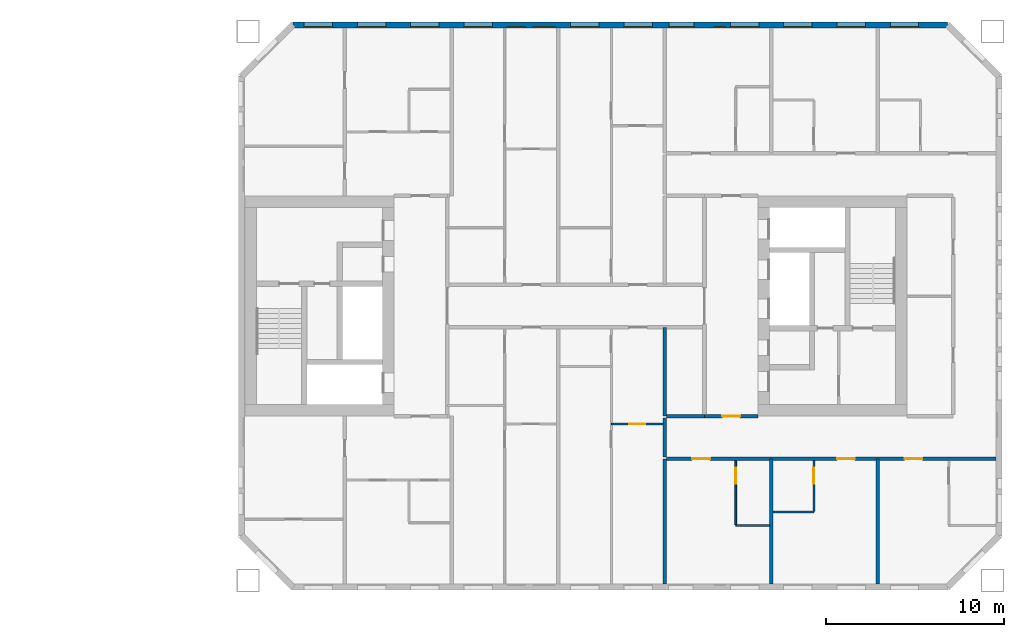
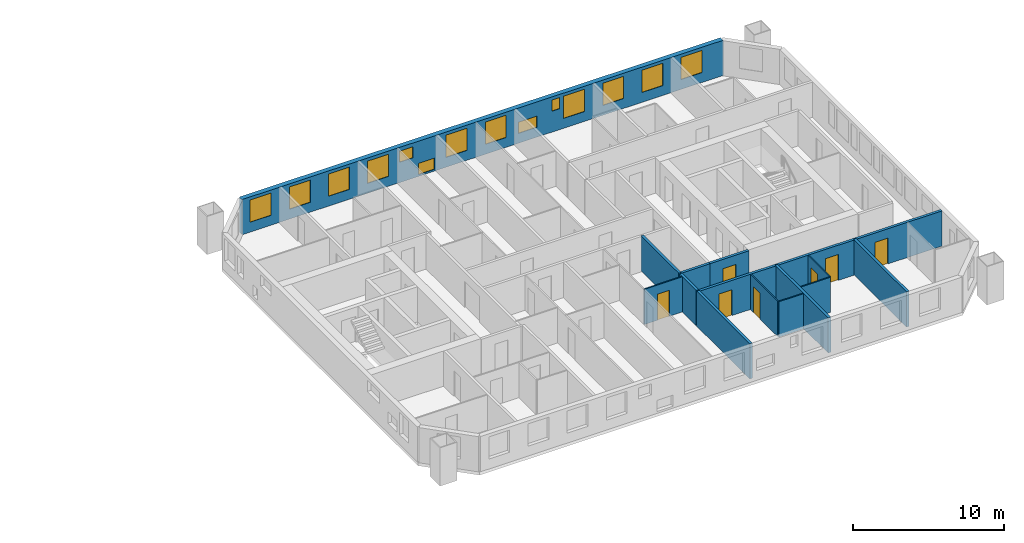
# One storey, part 12 of 17: 14 walls, 14 windows, 7 doors, 21 openings.
"""IFC4 building model written with IfcOpenShell, lengths in metres."""

from ifc_helpers import new_model, si_unit, direction, frame, frame_2d, origin, place, context, subcontext, project, spatial, rectangle, extrude, material, layer, layer_set, type_object, element, fill, save


model = new_model("IFC4")

# Units and contexts
model_context = context("Model", 3, precision=1e-05, world=origin(), true_north=direction((0.0, 1.0)))
body_context = subcontext(model_context, "Body", "Model", "MODEL_VIEW")
ifc_project = project(units=[si_unit("LENGTHUNIT", "METRE"), si_unit("AREAUNIT", "SQUARE_METRE"), si_unit("VOLUMEUNIT", "CUBIC_METRE"), si_unit("PLANEANGLEUNIT", "RADIAN"), si_unit("MASSUNIT", "GRAM", prefix="KILO")], contexts=[model_context])

# Site, building, storey
site_placement = place(None, origin())
site = spatial("IfcSite", under=ifc_project, at=site_placement, CompositionType="ELEMENT")
building_placement = place(site_placement, origin())
building = spatial("IfcBuilding", under=site, at=building_placement, Name="Tuart Gate Housing", CompositionType="ELEMENT")
storey_placement = place(building_placement, frame((0.0, 0.0, 108.800048828125)))
storey = spatial("IfcBuildingStorey", under=building, at=storey_placement, Name="L30", CompositionType="ELEMENT", Elevation=108.800048828125)

# Wall, openings, windows
ifc_material_1 = material(Name="Brick", Category="masonry")
ifc_layer_1 = layer(ifc_material_1, 0.360107421875)
ifc_layer_set_1 = layer_set([ifc_layer_1], Name="Brick pier and spandrel wall 360")
wall_type_1 = type_object("IfcWallType", Name="Brick pier and spandrel wall 360", PredefinedType="STANDARD", material=ifc_layer_set_1)
wall_1_placement = place(storey_placement, frame((170.92529296875, 85.820068359375, 0.0), z_axis=(0.0, 0.0, 1.0), x_axis=(-1.0, 0.0, 0.0)))
wall_1 = element("IfcWall", 1, at=wall_1_placement, inside=storey, type_object=wall_type_1, Name="External wall B-N L30", PredefinedType="STANDARD", context=body_context, shape_type="SweptSolid", body=[
    extrude(rectangle(XDim=36.850830078125, YDim=0.360107421875, at=frame_2d((18.42529296875, 0.0))), origin(), (0.0, 0.0, 1.0), 2.849853515625),
])
opening_1_placement = place(wall_1_placement, frame((1.62548828125, 0.0, 0.800048828125)))
opening_1 = element("IfcOpeningElement", 2, at=opening_1_placement, cuts=wall_1, Name="Opening W1", PredefinedType="OPENING", context=body_context, shape_type="SweptSolid", body=[
    extrude(rectangle(XDim=1.60009765625, YDim=1.800048828125, at=frame_2d((0.800048828125, 0.89990234375))), frame((0.0, 0.18994140625, 0.0), z_axis=(0.0, -1.0, 0.0), x_axis=(1.0, 0.0, 0.0)), (0.0, 0.0, 1.0), 0.380126953125),
])
opening_2_placement = place(wall_1_placement, frame((4.62548828125, 0.0, 0.800048828125)))
opening_2 = element("IfcOpeningElement", 3, at=opening_2_placement, cuts=wall_1, Name="Opening W1", PredefinedType="OPENING", context=body_context, shape_type="SweptSolid", body=[
    extrude(rectangle(XDim=1.60009765625, YDim=1.800048828125, at=frame_2d((0.800048828125, 0.89990234375))), frame((0.0, 0.18994140625, 0.0), z_axis=(0.0, -1.0, 0.0), x_axis=(1.0, 0.0, 0.0)), (0.0, 0.0, 1.0), 0.380126953125),
])
opening_3_placement = place(wall_1_placement, frame((7.62548828125, 0.0, 0.800048828125)))
opening_3 = element("IfcOpeningElement", 4, at=opening_3_placement, cuts=wall_1, Name="Opening W1", PredefinedType="OPENING", context=body_context, shape_type="SweptSolid", body=[
    extrude(rectangle(XDim=1.60009765625, YDim=1.800048828125, at=frame_2d((0.800048828125, 0.89990234375))), frame((0.0, 0.18994140625, 0.0), z_axis=(0.0, -1.0, 0.0), x_axis=(1.0, 0.0, 0.0)), (0.0, 0.0, 1.0), 0.380126953125),
])
opening_4_placement = place(wall_1_placement, frame((10.62548828125, 0.0, 0.800048828125)))
opening_4 = element("IfcOpeningElement", 5, at=opening_4_placement, cuts=wall_1, Name="Opening W1", PredefinedType="OPENING", context=body_context, shape_type="SweptSolid", body=[
    extrude(rectangle(XDim=1.60009765625, YDim=1.800048828125, at=frame_2d((0.800048828125, 0.89990234375))), frame((0.0, 0.18994140625, 0.0), z_axis=(0.0, -1.0, 0.0), x_axis=(1.0, 0.0, 0.0)), (0.0, 0.0, 1.0), 0.380126953125),
])
opening_5_placement = place(wall_1_placement, frame((12.525390625, 0.0, 1.699951171875)))
opening_5 = element("IfcOpeningElement", 6, at=opening_5_placement, cuts=wall_1, Name="Opening W1W", PredefinedType="OPENING", context=body_context, shape_type="SweptSolid", body=[
    extrude(rectangle(XDim=0.60009765625, YDim=0.89990234375, at=frame_2d((0.300048828125, 0.449951171875))), frame((0.0, 0.18994140625, 0.0), z_axis=(0.0, -1.0, 0.0), x_axis=(1.0, 0.0, 0.0)), (0.0, 0.0, 1.0), 0.380126953125),
])
opening_6_placement = place(wall_1_placement, frame((16.62548828125, 0.0, 0.800048828125)))
opening_6 = element("IfcOpeningElement", 7, at=opening_6_placement, cuts=wall_1, Name="Opening W1", PredefinedType="OPENING", context=body_context, shape_type="SweptSolid", body=[
    extrude(rectangle(XDim=1.60009765625, YDim=1.800048828125, at=frame_2d((0.800048828125, 0.89990234375))), frame((0.0, 0.18994140625, 0.0), z_axis=(0.0, -1.0, 0.0), x_axis=(1.0, 0.0, 0.0)), (0.0, 0.0, 1.0), 0.380126953125),
])
opening_7_placement = place(wall_1_placement, frame((19.62548828125, 0.0, 0.800048828125)))
opening_7 = element("IfcOpeningElement", 8, at=opening_7_placement, cuts=wall_1, Name="Opening W1", PredefinedType="OPENING", context=body_context, shape_type="SweptSolid", body=[
    extrude(rectangle(XDim=1.60009765625, YDim=1.800048828125, at=frame_2d((0.800048828125, 0.89990234375))), frame((0.0, 0.18994140625, 0.0), z_axis=(0.0, -1.0, 0.0), x_axis=(1.0, 0.0, 0.0)), (0.0, 0.0, 1.0), 0.380126953125),
])
opening_8_placement = place(wall_1_placement, frame((22.12548828125, 0.0, 0.14990234375)))
opening_8 = element("IfcOpeningElement", 9, at=opening_8_placement, cuts=wall_1, Name="Opening W1T", PredefinedType="OPENING", context=body_context, shape_type="SweptSolid", body=[
    extrude(rectangle(XDim=1.199951171875, YDim=0.89990234375, at=frame_2d((0.60009765625, 0.449951171875))), frame((0.0, 0.18994140625, 0.0), z_axis=(0.0, -1.0, 0.0), x_axis=(1.0, 0.0, 0.0)), (0.0, 0.0, 1.0), 0.380126953125),
])
opening_9_placement = place(wall_1_placement, frame((25.62548828125, 0.0, 0.800048828125)))
opening_9 = element("IfcOpeningElement", 10, at=opening_9_placement, cuts=wall_1, Name="Opening W1", PredefinedType="OPENING", context=body_context, shape_type="SweptSolid", body=[
    extrude(rectangle(XDim=1.60009765625, YDim=1.800048828125, at=frame_2d((0.800048828125, 0.89990234375))), frame((0.0, 0.18994140625, 0.0), z_axis=(0.0, -1.0, 0.0), x_axis=(1.0, 0.0, 0.0)), (0.0, 0.0, 1.0), 0.380126953125),
])
opening_10_placement = place(wall_1_placement, frame((28.62548828125, 0.0, 0.800048828125)))
opening_10 = element("IfcOpeningElement", 11, at=opening_10_placement, cuts=wall_1, Name="Opening W1", PredefinedType="OPENING", context=body_context, shape_type="SweptSolid", body=[
    extrude(rectangle(XDim=1.60009765625, YDim=1.800048828125, at=frame_2d((0.800048828125, 0.89990234375))), frame((0.0, 0.18994140625, 0.0), z_axis=(0.0, -1.0, 0.0), x_axis=(1.0, 0.0, 0.0)), (0.0, 0.0, 1.0), 0.380126953125),
])
opening_11_placement = place(wall_1_placement, frame((31.62548828125, 0.0, 0.800048828125)))
opening_11 = element("IfcOpeningElement", 12, at=opening_11_placement, cuts=wall_1, Name="Opening W1", PredefinedType="OPENING", context=body_context, shape_type="SweptSolid", body=[
    extrude(rectangle(XDim=1.60009765625, YDim=1.800048828125, at=frame_2d((0.800048828125, 0.89990234375))), frame((0.0, 0.18994140625, 0.0), z_axis=(0.0, -1.0, 0.0), x_axis=(1.0, 0.0, 0.0)), (0.0, 0.0, 1.0), 0.380126953125),
])
opening_12_placement = place(wall_1_placement, frame((34.62548828125, 0.0, 0.800048828125)))
opening_12 = element("IfcOpeningElement", 13, at=opening_12_placement, cuts=wall_1, Name="Opening W1", PredefinedType="OPENING", context=body_context, shape_type="SweptSolid", body=[
    extrude(rectangle(XDim=1.60009765625, YDim=1.800048828125, at=frame_2d((0.800048828125, 0.89990234375))), frame((0.0, 0.18994140625, 0.0), z_axis=(0.0, -1.0, 0.0), x_axis=(1.0, 0.0, 0.0)), (0.0, 0.0, 1.0), 0.380126953125),
])
opening_13_placement = place(wall_1_placement, frame((14.275390625, 0.0, 0.800048828125)))
opening_13 = element("IfcOpeningElement", 14, at=opening_13_placement, cuts=wall_1, Name="Opening W1S", PredefinedType="OPENING", context=body_context, shape_type="SweptSolid", body=[
    extrude(rectangle(XDim=1.39990234375, YDim=0.89990234375, at=frame_2d((0.699951171875, 0.449951171875))), frame((0.0, 0.18994140625, 0.0), z_axis=(0.0, -1.0, 0.0), x_axis=(1.0, 0.0, 0.0)), (0.0, 0.0, 1.0), 0.380126953125),
])
opening_14_placement = place(wall_1_placement, frame((23.775390625, 0.0, 1.64990234375)))
opening_14 = element("IfcOpeningElement", 15, at=opening_14_placement, cuts=wall_1, Name="Opening W1U", PredefinedType="OPENING", context=body_context, shape_type="SweptSolid", body=[
    extrude(rectangle(XDim=1.0, YDim=0.89990234375, at=frame_2d((0.5, 0.449951171875))), frame((0.0, 0.18994140625, 0.0), z_axis=(0.0, -1.0, 0.0), x_axis=(1.0, 0.0, 0.0)), (0.0, 0.0, 1.0), 0.380126953125),
])
ifc_material_2 = material(Name="Aluminium frame with clear glass", Category="aluminium")
window_type_1 = type_object("IfcWindowType", Name="Punched window 1000 x 900", PartitioningType="SINGLE_PANEL", PredefinedType="WINDOW", material=ifc_material_2)
window_1_placement = place(opening_14_placement, origin())
window_1 = element("IfcWindow", 16, at=window_1_placement, inside=storey, type_object=window_type_1, Name="Window W1U", OverallHeight=0.89990234375, OverallWidth=1.0, PartitioningType="SINGLE_PANEL", PredefinedType="WINDOW", context=body_context, shape_type="SweptSolid", body=[
    extrude(rectangle(XDim=1.0, YDim=0.89990234375, at=frame_2d((0.5, 0.449951171875))), frame((0.0, 0.150146484375, 0.0), z_axis=(0.0, -1.0, 0.0), x_axis=(1.0, 0.0, 0.0)), (0.0, 0.0, 1.0), 0.06005859375),
])
fill(opening_14, window_1)
ifc_material_3 = material(Name="Aluminium frame with clear glass", Category="aluminium")
window_type_2 = type_object("IfcWindowType", Name="Punched window 1200 x 900", PartitioningType="SINGLE_PANEL", PredefinedType="WINDOW", material=ifc_material_3)
window_2_placement = place(opening_8_placement, origin())
window_2 = element("IfcWindow", 17, at=window_2_placement, inside=storey, type_object=window_type_2, Name="Window W1T", OverallHeight=0.89990234375, OverallWidth=1.199951171875, PartitioningType="SINGLE_PANEL", PredefinedType="WINDOW", context=body_context, shape_type="SweptSolid", body=[
    extrude(rectangle(XDim=1.199951171875, YDim=0.89990234375, at=frame_2d((0.60009765625, 0.449951171875))), frame((0.0, 0.150146484375, 0.0), z_axis=(0.0, -1.0, 0.0), x_axis=(1.0, 0.0, 0.0)), (0.0, 0.0, 1.0), 0.06005859375),
])
fill(opening_8, window_2)
ifc_material_4 = material(Name="Aluminium frame with clear glass", Category="aluminium")
window_type_3 = type_object("IfcWindowType", Name="Punched window 1400 x 900", PartitioningType="SINGLE_PANEL", PredefinedType="WINDOW", material=ifc_material_4)
window_3_placement = place(opening_13_placement, origin())
window_3 = element("IfcWindow", 18, at=window_3_placement, inside=storey, type_object=window_type_3, Name="Window W1S", OverallHeight=0.89990234375, OverallWidth=1.39990234375, PartitioningType="SINGLE_PANEL", PredefinedType="WINDOW", context=body_context, shape_type="SweptSolid", body=[
    extrude(rectangle(XDim=1.39990234375, YDim=0.89990234375, at=frame_2d((0.699951171875, 0.449951171875))), frame((0.0, 0.150146484375, 0.0), z_axis=(0.0, -1.0, 0.0), x_axis=(1.0, 0.0, 0.0)), (0.0, 0.0, 1.0), 0.06005859375),
])
fill(opening_13, window_3)
ifc_material_5 = material(Name="Aluminium frame with clear glass", Category="aluminium")
window_type_4 = type_object("IfcWindowType", Name="Punched window 1600 x 1800", PartitioningType="SINGLE_PANEL", PredefinedType="WINDOW", material=ifc_material_5)
window_4_placement = place(opening_1_placement, origin())
window_4 = element("IfcWindow", 19, at=window_4_placement, inside=storey, type_object=window_type_4, Name="Window W1", OverallHeight=1.800048828125, OverallWidth=1.60009765625, PartitioningType="SINGLE_PANEL", PredefinedType="WINDOW", context=body_context, shape_type="SweptSolid", body=[
    extrude(rectangle(XDim=1.60009765625, YDim=1.800048828125, at=frame_2d((0.800048828125, 0.89990234375))), frame((0.0, 0.150146484375, 0.0), z_axis=(0.0, -1.0, 0.0), x_axis=(1.0, 0.0, 0.0)), (0.0, 0.0, 1.0), 0.06005859375),
])
fill(opening_1, window_4)
window_5_placement = place(opening_2_placement, origin())
window_5 = element("IfcWindow", 20, at=window_5_placement, inside=storey, type_object=window_type_4, Name="Window W1", OverallHeight=1.800048828125, OverallWidth=1.60009765625, PartitioningType="SINGLE_PANEL", PredefinedType="WINDOW", context=body_context, shape_type="SweptSolid", body=[
    extrude(rectangle(XDim=1.60009765625, YDim=1.800048828125, at=frame_2d((0.800048828125, 0.89990234375))), frame((0.0, 0.150146484375, 0.0), z_axis=(0.0, -1.0, 0.0), x_axis=(1.0, 0.0, 0.0)), (0.0, 0.0, 1.0), 0.06005859375),
])
fill(opening_2, window_5)
window_6_placement = place(opening_3_placement, origin())
window_6 = element("IfcWindow", 21, at=window_6_placement, inside=storey, type_object=window_type_4, Name="Window W1", OverallHeight=1.800048828125, OverallWidth=1.60009765625, PartitioningType="SINGLE_PANEL", PredefinedType="WINDOW", context=body_context, shape_type="SweptSolid", body=[
    extrude(rectangle(XDim=1.60009765625, YDim=1.800048828125, at=frame_2d((0.800048828125, 0.89990234375))), frame((0.0, 0.150146484375, 0.0), z_axis=(0.0, -1.0, 0.0), x_axis=(1.0, 0.0, 0.0)), (0.0, 0.0, 1.0), 0.06005859375),
])
fill(opening_3, window_6)
window_7_placement = place(opening_4_placement, origin())
window_7 = element("IfcWindow", 22, at=window_7_placement, inside=storey, type_object=window_type_4, Name="Window W1", OverallHeight=1.800048828125, OverallWidth=1.60009765625, PartitioningType="SINGLE_PANEL", PredefinedType="WINDOW", context=body_context, shape_type="SweptSolid", body=[
    extrude(rectangle(XDim=1.60009765625, YDim=1.800048828125, at=frame_2d((0.800048828125, 0.89990234375))), frame((0.0, 0.150146484375, 0.0), z_axis=(0.0, -1.0, 0.0), x_axis=(1.0, 0.0, 0.0)), (0.0, 0.0, 1.0), 0.06005859375),
])
fill(opening_4, window_7)
window_8_placement = place(opening_6_placement, origin())
window_8 = element("IfcWindow", 23, at=window_8_placement, inside=storey, type_object=window_type_4, Name="Window W1", OverallHeight=1.800048828125, OverallWidth=1.60009765625, PartitioningType="SINGLE_PANEL", PredefinedType="WINDOW", context=body_context, shape_type="SweptSolid", body=[
    extrude(rectangle(XDim=1.60009765625, YDim=1.800048828125, at=frame_2d((0.800048828125, 0.89990234375))), frame((0.0, 0.150146484375, 0.0), z_axis=(0.0, -1.0, 0.0), x_axis=(1.0, 0.0, 0.0)), (0.0, 0.0, 1.0), 0.06005859375),
])
fill(opening_6, window_8)
window_9_placement = place(opening_7_placement, origin())
window_9 = element("IfcWindow", 24, at=window_9_placement, inside=storey, type_object=window_type_4, Name="Window W1", OverallHeight=1.800048828125, OverallWidth=1.60009765625, PartitioningType="SINGLE_PANEL", PredefinedType="WINDOW", context=body_context, shape_type="SweptSolid", body=[
    extrude(rectangle(XDim=1.60009765625, YDim=1.800048828125, at=frame_2d((0.800048828125, 0.89990234375))), frame((0.0, 0.150146484375, 0.0), z_axis=(0.0, -1.0, 0.0), x_axis=(1.0, 0.0, 0.0)), (0.0, 0.0, 1.0), 0.06005859375),
])
fill(opening_7, window_9)
window_10_placement = place(opening_9_placement, origin())
window_10 = element("IfcWindow", 25, at=window_10_placement, inside=storey, type_object=window_type_4, Name="Window W1", OverallHeight=1.800048828125, OverallWidth=1.60009765625, PartitioningType="SINGLE_PANEL", PredefinedType="WINDOW", context=body_context, shape_type="SweptSolid", body=[
    extrude(rectangle(XDim=1.60009765625, YDim=1.800048828125, at=frame_2d((0.800048828125, 0.89990234375))), frame((0.0, 0.150146484375, 0.0), z_axis=(0.0, -1.0, 0.0), x_axis=(1.0, 0.0, 0.0)), (0.0, 0.0, 1.0), 0.06005859375),
])
fill(opening_9, window_10)
window_11_placement = place(opening_10_placement, origin())
window_11 = element("IfcWindow", 26, at=window_11_placement, inside=storey, type_object=window_type_4, Name="Window W1", OverallHeight=1.800048828125, OverallWidth=1.60009765625, PartitioningType="SINGLE_PANEL", PredefinedType="WINDOW", context=body_context, shape_type="SweptSolid", body=[
    extrude(rectangle(XDim=1.60009765625, YDim=1.800048828125, at=frame_2d((0.800048828125, 0.89990234375))), frame((0.0, 0.150146484375, 0.0), z_axis=(0.0, -1.0, 0.0), x_axis=(1.0, 0.0, 0.0)), (0.0, 0.0, 1.0), 0.06005859375),
])
fill(opening_10, window_11)
window_12_placement = place(opening_11_placement, origin())
window_12 = element("IfcWindow", 27, at=window_12_placement, inside=storey, type_object=window_type_4, Name="Window W1", OverallHeight=1.800048828125, OverallWidth=1.60009765625, PartitioningType="SINGLE_PANEL", PredefinedType="WINDOW", context=body_context, shape_type="SweptSolid", body=[
    extrude(rectangle(XDim=1.60009765625, YDim=1.800048828125, at=frame_2d((0.800048828125, 0.89990234375))), frame((0.0, 0.150146484375, 0.0), z_axis=(0.0, -1.0, 0.0), x_axis=(1.0, 0.0, 0.0)), (0.0, 0.0, 1.0), 0.06005859375),
])
fill(opening_11, window_12)
window_13_placement = place(opening_12_placement, origin())
window_13 = element("IfcWindow", 28, at=window_13_placement, inside=storey, type_object=window_type_4, Name="Window W1", OverallHeight=1.800048828125, OverallWidth=1.60009765625, PartitioningType="SINGLE_PANEL", PredefinedType="WINDOW", context=body_context, shape_type="SweptSolid", body=[
    extrude(rectangle(XDim=1.60009765625, YDim=1.800048828125, at=frame_2d((0.800048828125, 0.89990234375))), frame((0.0, 0.150146484375, 0.0), z_axis=(0.0, -1.0, 0.0), x_axis=(1.0, 0.0, 0.0)), (0.0, 0.0, 1.0), 0.06005859375),
])
fill(opening_12, window_13)
ifc_material_6 = material(Name="Aluminium frame with clear glass", Category="aluminium")
window_type_5 = type_object("IfcWindowType", Name="Punched window 600 x 900", PartitioningType="SINGLE_PANEL", PredefinedType="WINDOW", material=ifc_material_6)
window_14_placement = place(opening_5_placement, origin())
window_14 = element("IfcWindow", 29, at=window_14_placement, inside=storey, type_object=window_type_5, Name="Window W1W", OverallHeight=0.89990234375, OverallWidth=0.60009765625, PartitioningType="SINGLE_PANEL", PredefinedType="WINDOW", context=body_context, shape_type="SweptSolid", body=[
    extrude(rectangle(XDim=0.60009765625, YDim=0.89990234375, at=frame_2d((0.300048828125, 0.449951171875))), frame((0.0, 0.150146484375, 0.0), z_axis=(0.0, -1.0, 0.0), x_axis=(1.0, 0.0, 0.0)), (0.0, 0.0, 1.0), 0.06005859375),
])
fill(opening_5, window_14)

# Wall, openings, doors
ifc_material_7 = material(Name="Concrete masonry 15 MPa", Category="masonry")
ifc_layer_2 = layer(ifc_material_7, 0.199951171875)
ifc_layer_set_2 = layer_set([ifc_layer_2], Name="Corridor wall masonry 200")
wall_type_2 = type_object("IfcWallType", Name="Corridor wall masonry 200", PredefinedType="PARTITIONING", material=ifc_layer_set_2)
wall_2_placement = place(storey_placement, frame((155.10009765625, 61.39990234375, 0.0), z_axis=(0.0, 0.0, 1.0), x_axis=(1.0, 0.0, 0.0)))
wall_2 = element("IfcWall", 30, at=wall_2_placement, inside=storey, type_object=wall_type_2, Name="Corridor wall masonry 200", PredefinedType="PARTITIONING", context=body_context, shape_type="SweptSolid", body=[
    extrude(rectangle(XDim=18.539794921875, YDim=0.199951171875, at=frame_2d((9.27001953125, 0.0))), origin(), (0.0, 0.0, 1.0), 2.849853515625),
])
opening_15_placement = place(wall_2_placement, frame((1.449951171875, 0.0, 0.0)))
opening_15 = element("IfcOpeningElement", 31, at=opening_15_placement, cuts=wall_2, Name="Opening D1280", PredefinedType="OPENING", context=body_context, shape_type="SweptSolid", body=[
    extrude(rectangle(XDim=1.0, YDim=2.10009765625, at=frame_2d((0.5, 1.050048828125))), frame((0.0, 0.10986328125, 0.0), z_axis=(0.0, -1.0, 0.0), x_axis=(1.0, 0.0, 0.0)), (0.0, 0.0, 1.0), 0.219970703125),
])
opening_16_placement = place(wall_2_placement, frame((9.60009765625, 0.0, 0.0)))
opening_16 = element("IfcOpeningElement", 32, at=opening_16_placement, cuts=wall_2, Name="Opening D1281", PredefinedType="OPENING", context=body_context, shape_type="SweptSolid", body=[
    extrude(rectangle(XDim=1.0, YDim=2.10009765625, at=frame_2d((0.5, 1.050048828125))), frame((0.0, 0.10986328125, 0.0), z_axis=(0.0, -1.0, 0.0), x_axis=(1.0, 0.0, 0.0)), (0.0, 0.0, 1.0), 0.219970703125),
])
opening_17_placement = place(wall_2_placement, frame((13.39990234375, 0.0, 0.0)))
opening_17 = element("IfcOpeningElement", 33, at=opening_17_placement, cuts=wall_2, Name="Opening D1282", PredefinedType="OPENING", context=body_context, shape_type="SweptSolid", body=[
    extrude(rectangle(XDim=1.0, YDim=2.10009765625, at=frame_2d((0.5, 1.050048828125))), frame((0.0, 0.10986328125, 0.0), z_axis=(0.0, -1.0, 0.0), x_axis=(1.0, 0.0, 0.0)), (0.0, 0.0, 1.0), 0.219970703125),
])
ifc_material_8 = material(Name="Timber door leaf in steel frame", Category="steel")
door_type_1 = type_object("IfcDoorType", Name="Flat entrance door 1000", OperationType="SINGLE_SWING_LEFT", PredefinedType="DOOR", material=ifc_material_8)
door_1_placement = place(opening_15_placement, frame((1.0, 0.0, 0.0), z_axis=(0.0, 0.0, 1.0), x_axis=(-1.0, 0.0, 0.0)))
door_1 = element("IfcDoor", 34, at=door_1_placement, inside=storey, type_object=door_type_1, Name="Flat entrance door", OperationType="SINGLE_SWING_LEFT", OverallHeight=2.10009765625, OverallWidth=1.0, PredefinedType="DOOR", context=body_context, shape_type="SweptSolid", body=[
    extrude(rectangle(XDim=1.0, YDim=2.10009765625, at=frame_2d((0.5, 1.050048828125))), frame((0.0, 0.025146484375, 0.0), z_axis=(0.0, -1.0, 0.0), x_axis=(1.0, 0.0, 0.0)), (0.0, 0.0, 1.0), 0.050048828125),
])
fill(opening_15, door_1)
ifc_material_9 = material(Name="Timber door leaf in steel frame", Category="steel")
door_type_2 = type_object("IfcDoorType", Name="Flat entrance door 1000 RH", OperationType="SINGLE_SWING_RIGHT", PredefinedType="DOOR", material=ifc_material_9)
door_2_placement = place(opening_16_placement, frame((1.0, 0.0, 0.0), z_axis=(0.0, 0.0, 1.0), x_axis=(-1.0, 0.0, 0.0)))
door_2 = element("IfcDoor", 35, at=door_2_placement, inside=storey, type_object=door_type_2, Name="Flat entrance door", OperationType="SINGLE_SWING_RIGHT", OverallHeight=2.10009765625, OverallWidth=1.0, PredefinedType="DOOR", context=body_context, shape_type="SweptSolid", body=[
    extrude(rectangle(XDim=1.0, YDim=2.10009765625, at=frame_2d((0.5, 1.050048828125))), frame((0.0, 0.025146484375, 0.0), z_axis=(0.0, -1.0, 0.0), x_axis=(1.0, 0.0, 0.0)), (0.0, 0.0, 1.0), 0.050048828125),
])
fill(opening_16, door_2)
door_3_placement = place(opening_17_placement, frame((1.0, 0.0, 0.0), z_axis=(0.0, 0.0, 1.0), x_axis=(-1.0, 0.0, 0.0)))
door_3 = element("IfcDoor", 36, at=door_3_placement, inside=storey, type_object=door_type_2, Name="Flat entrance door", OperationType="SINGLE_SWING_RIGHT", OverallHeight=2.10009765625, OverallWidth=1.0, PredefinedType="DOOR", context=body_context, shape_type="SweptSolid", body=[
    extrude(rectangle(XDim=1.0, YDim=2.10009765625, at=frame_2d((0.5, 1.050048828125))), frame((0.0, 0.025146484375, 0.0), z_axis=(0.0, -1.0, 0.0), x_axis=(1.0, 0.0, 0.0)), (0.0, 0.0, 1.0), 0.050048828125),
])
fill(opening_17, door_3)

# Walls
wall_3_placement = place(storey_placement, frame((155.10009765625, 63.800048828125, 0.0), z_axis=(0.0, 0.0, 1.0), x_axis=(1.0, 0.0, 0.0)))
element("IfcWall", 37, at=wall_3_placement, inside=storey, type_object=wall_type_2, Name="Corridor wall masonry 200", PredefinedType="PARTITIONING", context=body_context, shape_type="SweptSolid", body=[
    extrude(rectangle(XDim=2.139892578125, YDim=0.199951171875, at=frame_2d((1.06982421875, 0.0))), origin(), (0.0, 0.0, 1.0), 2.849853515625),
])
wall_4_placement = place(storey_placement, frame((155.0, 61.5, 0.0), z_axis=(0.0, 0.0, 1.0), x_axis=(0.0, 1.0, 0.0)))
element("IfcWall", 38, at=wall_4_placement, inside=storey, type_object=wall_type_2, Name="Corridor wall masonry 200", PredefinedType="PARTITIONING", context=body_context, shape_type="SweptSolid", body=[
    extrude(rectangle(XDim=2.199951171875, YDim=0.199951171875, at=frame_2d((1.10009765625, 0.0))), origin(), (0.0, 0.0, 1.0), 2.849853515625),
])

# Wall, opening, door
ifc_material_10 = material(Name="Concrete masonry 15 MPa", Category="masonry")
ifc_layer_3 = layer(ifc_material_10, 0.199951171875)
ifc_layer_set_3 = layer_set([ifc_layer_3], Name="Enclosure wall masonry 200")
wall_type_3 = type_object("IfcWallType", Name="Enclosure wall masonry 200", PredefinedType="PARTITIONING", material=ifc_layer_set_3)
wall_5_placement = place(storey_placement, frame((157.239990234375, 63.800048828125, 0.0), z_axis=(0.0, 0.0, 1.0), x_axis=(1.0, 0.0, 0.0)))
wall_5 = element("IfcWall", 39, at=wall_5_placement, inside=storey, type_object=wall_type_3, Name="Enclosure wall masonry 200", PredefinedType="PARTITIONING", context=body_context, shape_type="SweptSolid", body=[
    extrude(rectangle(XDim=3.0, YDim=0.199951171875, at=frame_2d((1.5, 0.0))), origin(), (0.0, 0.0, 1.0), 2.849853515625),
])
opening_18_placement = place(wall_5_placement, frame((1.0, 0.0, 0.0)))
opening_18 = element("IfcOpeningElement", 40, at=opening_18_placement, cuts=wall_5, Name="Opening D1273", PredefinedType="OPENING", context=body_context, shape_type="SweptSolid", body=[
    extrude(rectangle(XDim=1.0, YDim=2.10009765625, at=frame_2d((0.5, 1.050048828125))), frame((0.0, 0.10986328125, 0.0), z_axis=(0.0, -1.0, 0.0), x_axis=(1.0, 0.0, 0.0)), (0.0, 0.0, 1.0), 0.219970703125),
])
ifc_material_11 = material(Name="Timber door leaf in steel frame", Category="steel")
door_type_3 = type_object("IfcDoorType", Name="Fire door 1000 RH", OperationType="SINGLE_SWING_RIGHT", PredefinedType="DOOR", material=ifc_material_11)
door_4_placement = place(opening_18_placement, frame((1.0, 0.0, 0.0), z_axis=(0.0, 0.0, 1.0), x_axis=(-1.0, 0.0, 0.0)))
door_4 = element("IfcDoor", 41, at=door_4_placement, inside=storey, type_object=door_type_3, Name="Fire door", OperationType="SINGLE_SWING_RIGHT", OverallHeight=2.10009765625, OverallWidth=1.0, PredefinedType="DOOR", context=body_context, shape_type="SweptSolid", body=[
    extrude(rectangle(XDim=1.0, YDim=2.10009765625, at=frame_2d((0.5, 1.050048828125))), frame((0.0, 0.025146484375, 0.0), z_axis=(0.0, -1.0, 0.0), x_axis=(1.0, 0.0, 0.0)), (0.0, 0.0, 1.0), 0.050048828125),
])
fill(opening_18, door_4)

# Walls
ifc_material_12 = material(Name="Gypsum board on steel studs", Category="steel")
ifc_layer_4 = layer(ifc_material_12, 0.10009765625)
ifc_layer_set_4 = layer_set([ifc_layer_4], Name="Partition 100")
wall_type_4 = type_object("IfcWallType", Name="Partition 100", PredefinedType="PARTITIONING", material=ifc_layer_set_4)
wall_6_placement = place(storey_placement, frame((159.0, 57.64990234375, 0.0), z_axis=(0.0, 0.0, 1.0), x_axis=(1.0, 0.0, 0.0)))
element("IfcWall", 42, at=wall_6_placement, inside=storey, type_object=wall_type_4, Name="Partition 100", PredefinedType="PARTITIONING", context=body_context, shape_type="SweptSolid", body=[
    extrude(rectangle(XDim=1.89990234375, YDim=0.10009765625, at=frame_2d((0.949951171875, 0.0))), origin(), (0.0, 0.0, 1.0), 2.849853515625),
])
wall_7_placement = place(storey_placement, frame((161.10009765625, 58.39990234375, 0.0), z_axis=(0.0, 0.0, 1.0), x_axis=(1.0, 0.0, 0.0)))
element("IfcWall", 43, at=wall_7_placement, inside=storey, type_object=wall_type_4, Name="Partition 100", PredefinedType="PARTITIONING", context=body_context, shape_type="SweptSolid", body=[
    extrude(rectangle(XDim=2.2998046875, YDim=0.10009765625, at=frame_2d((1.14990234375, 0.0))), origin(), (0.0, 0.0, 1.0), 2.849853515625),
])

# Wall, opening, door
wall_8_placement = place(storey_placement, frame((152.0, 63.360107421875, 0.0), z_axis=(0.0, 0.0, 1.0), x_axis=(1.0, 0.0, 0.0)))
wall_8 = element("IfcWall", 44, at=wall_8_placement, inside=storey, type_object=wall_type_4, Name="Partition 100", PredefinedType="PARTITIONING", context=body_context, shape_type="SweptSolid", body=[
    extrude(rectangle(XDim=2.89990234375, YDim=0.10009765625, at=frame_2d((1.449951171875, 0.0))), origin(), (0.0, 0.0, 1.0), 2.849853515625),
])
opening_19_placement = place(wall_8_placement, frame((1.0, 0.0, 0.0)))
opening_19 = element("IfcOpeningElement", 45, at=opening_19_placement, cuts=wall_8, Name="Opening D1275", PredefinedType="OPENING", context=body_context, shape_type="SweptSolid", body=[
    extrude(rectangle(XDim=0.89990234375, YDim=2.10009765625, at=frame_2d((0.449951171875, 1.050048828125))), frame((0.0, 0.06005859375, 0.0), z_axis=(0.0, -1.0, 0.0), x_axis=(1.0, 0.0, 0.0)), (0.0, 0.0, 1.0), 0.1201171875),
])
ifc_material_13 = material(Name="Timber door leaf in steel frame", Category="steel")
door_type_4 = type_object("IfcDoorType", Name="Internal door 900", OperationType="SINGLE_SWING_LEFT", PredefinedType="DOOR", material=ifc_material_13)
door_5_placement = place(opening_19_placement, origin())
door_5 = element("IfcDoor", 46, at=door_5_placement, inside=storey, type_object=door_type_4, Name="Internal door", OperationType="SINGLE_SWING_LEFT", OverallHeight=2.10009765625, OverallWidth=0.89990234375, PredefinedType="DOOR", context=body_context, shape_type="SweptSolid", body=[
    extrude(rectangle(XDim=0.89990234375, YDim=2.10009765625, at=frame_2d((0.449951171875, 1.050048828125))), frame((0.0, 0.02490234375, 0.0), z_axis=(0.0, -1.0, 0.0), x_axis=(1.0, 0.0, 0.0)), (0.0, 0.0, 1.0), 0.050048828125),
])
fill(opening_19, door_5)

wall_9_placement = place(storey_placement, frame((159.0, 57.699951171875, 0.0), z_axis=(0.0, 0.0, 1.0), x_axis=(0.0, 1.0, 0.0)))
wall_9 = element("IfcWall", 47, at=wall_9_placement, inside=storey, type_object=wall_type_4, Name="Partition 100", PredefinedType="PARTITIONING", context=body_context, shape_type="SweptSolid", body=[
    extrude(rectangle(XDim=3.60009765625, YDim=0.10009765625, at=frame_2d((1.800048828125, 0.0))), origin(), (0.0, 0.0, 1.0), 2.849853515625),
])
opening_20_placement = place(wall_9_placement, frame((2.300048828125, 0.0, 0.0)))
opening_20 = element("IfcOpeningElement", 48, at=opening_20_placement, cuts=wall_9, Name="Opening D1286", PredefinedType="OPENING", context=body_context, shape_type="SweptSolid", body=[
    extrude(rectangle(XDim=0.89990234375, YDim=2.10009765625, at=frame_2d((0.449951171875, 1.050048828125))), frame((0.0, 0.06005859375, 0.0), z_axis=(0.0, -1.0, 0.0), x_axis=(1.0, 0.0, 0.0)), (0.0, 0.0, 1.0), 0.1201171875),
])
ifc_material_14 = material(Name="Timber door leaf in steel frame", Category="steel")
door_type_5 = type_object("IfcDoorType", Name="Bathroom door 900", OperationType="SINGLE_SWING_LEFT", PredefinedType="DOOR", material=ifc_material_14)
door_6_placement = place(opening_20_placement, frame((0.89990234375, 0.0, 0.0), z_axis=(0.0, 0.0, 1.0), x_axis=(-1.0, 0.0, 0.0)))
door_6 = element("IfcDoor", 49, at=door_6_placement, inside=storey, type_object=door_type_5, Name="Bathroom door", OperationType="SINGLE_SWING_LEFT", OverallHeight=2.10009765625, OverallWidth=0.89990234375, PredefinedType="DOOR", context=body_context, shape_type="SweptSolid", body=[
    extrude(rectangle(XDim=0.89990234375, YDim=2.10009765625, at=frame_2d((0.449951171875, 1.050048828125))), frame((0.0, 0.025146484375, 0.0), z_axis=(0.0, -1.0, 0.0), x_axis=(1.0, 0.0, 0.0)), (0.0, 0.0, 1.0), 0.050048828125),
])
fill(opening_20, door_6)

wall_10_placement = place(storey_placement, frame((163.39990234375, 58.449951171875, 0.0), z_axis=(0.0, 0.0, 1.0), x_axis=(0.0, 1.0, 0.0)))
wall_10 = element("IfcWall", 50, at=wall_10_placement, inside=storey, type_object=wall_type_4, Name="Partition 100", PredefinedType="PARTITIONING", context=body_context, shape_type="SweptSolid", body=[
    extrude(rectangle(XDim=2.85009765625, YDim=0.10009765625, at=frame_2d((1.425048828125, 0.0))), origin(), (0.0, 0.0, 1.0), 2.849853515625),
])
opening_21_placement = place(wall_10_placement, frame((1.550048828125, 0.0, 0.0)))
opening_21 = element("IfcOpeningElement", 51, at=opening_21_placement, cuts=wall_10, Name="Opening D1285", PredefinedType="OPENING", context=body_context, shape_type="SweptSolid", body=[
    extrude(rectangle(XDim=0.89990234375, YDim=2.10009765625, at=frame_2d((0.449951171875, 1.050048828125))), frame((0.0, 0.06005859375, 0.0), z_axis=(0.0, -1.0, 0.0), x_axis=(1.0, 0.0, 0.0)), (0.0, 0.0, 1.0), 0.1201171875),
])
ifc_material_15 = material(Name="Timber door leaf in steel frame", Category="steel")
door_type_6 = type_object("IfcDoorType", Name="Bathroom door 900 RH", OperationType="SINGLE_SWING_RIGHT", PredefinedType="DOOR", material=ifc_material_15)
door_7_placement = place(opening_21_placement, origin())
door_7 = element("IfcDoor", 52, at=door_7_placement, inside=storey, type_object=door_type_6, Name="Bathroom door", OperationType="SINGLE_SWING_RIGHT", OverallHeight=2.10009765625, OverallWidth=0.89990234375, PredefinedType="DOOR", context=body_context, shape_type="SweptSolid", body=[
    extrude(rectangle(XDim=0.89990234375, YDim=2.10009765625, at=frame_2d((0.449951171875, 1.050048828125))), frame((0.0, 0.02490234375, 0.0), z_axis=(0.0, -1.0, 0.0), x_axis=(1.0, 0.0, 0.0)), (0.0, 0.0, 1.0), 0.050048828125),
])
fill(opening_21, door_7)

# Walls
ifc_material_16 = material(Name="Concrete C40", Category="concrete")
ifc_layer_5 = layer(ifc_material_16, 0.199951171875)
ifc_layer_set_5 = layer_set([ifc_layer_5], Name="Party wall concrete C40 200")
wall_type_5 = type_object("IfcWallType", Name="Party wall concrete C40 200", PredefinedType="SOLIDWALL", material=ifc_layer_set_5)
wall_11_placement = place(storey_placement, frame((155.0, 54.360107421875, 0.0), z_axis=(0.0, 0.0, 1.0), x_axis=(0.0, 1.0, 0.0)))
element("IfcWall", 53, at=wall_11_placement, inside=storey, type_object=wall_type_5, Name="Party wall concrete C40 200", PredefinedType="SOLIDWALL", context=body_context, shape_type="SweptSolid", body=[
    extrude(rectangle(XDim=7.039794921875, YDim=0.199951171875, at=frame_2d((3.52001953125, 0.0))), origin(), (0.0, 0.0, 1.0), 2.849853515625),
])
wall_12_placement = place(storey_placement, frame((155.0, 63.800048828125, 0.0), z_axis=(0.0, 0.0, 1.0), x_axis=(0.0, 1.0, 0.0)))
element("IfcWall", 54, at=wall_12_placement, inside=storey, type_object=wall_type_5, Name="Party wall concrete C40 200", PredefinedType="SOLIDWALL", context=body_context, shape_type="SweptSolid", body=[
    extrude(rectangle(XDim=5.0, YDim=0.199951171875, at=frame_2d((2.5, 0.0))), origin(), (0.0, 0.0, 1.0), 2.849853515625),
])
for number, where, z_axis, x_axis, name in (
    (55, (161.0, 54.360107421875, 0.0), (0.0, 0.0, 1.0), (0.0, 1.0, 0.0), "Party wall concrete C40 200"),
    (56, (167.0, 54.360107421875, 0.0), (0.0, 0.0, 1.0), (0.0, 1.0, 0.0), "Party wall concrete C40 200"),
):
    element("IfcWall", number, at=place(storey_placement, frame(where, z_axis=z_axis, x_axis=x_axis)), inside=storey, type_object=wall_type_5, Name=name, PredefinedType="SOLIDWALL", context=body_context, shape_type="SweptSolid", body=[
        extrude(rectangle(XDim=7.039794921875, YDim=0.199951171875, at=frame_2d((3.52001953125, 0.0))), origin(), (0.0, 0.0, 1.0), 2.849853515625),
    ])

save(model, "model.ifc")
